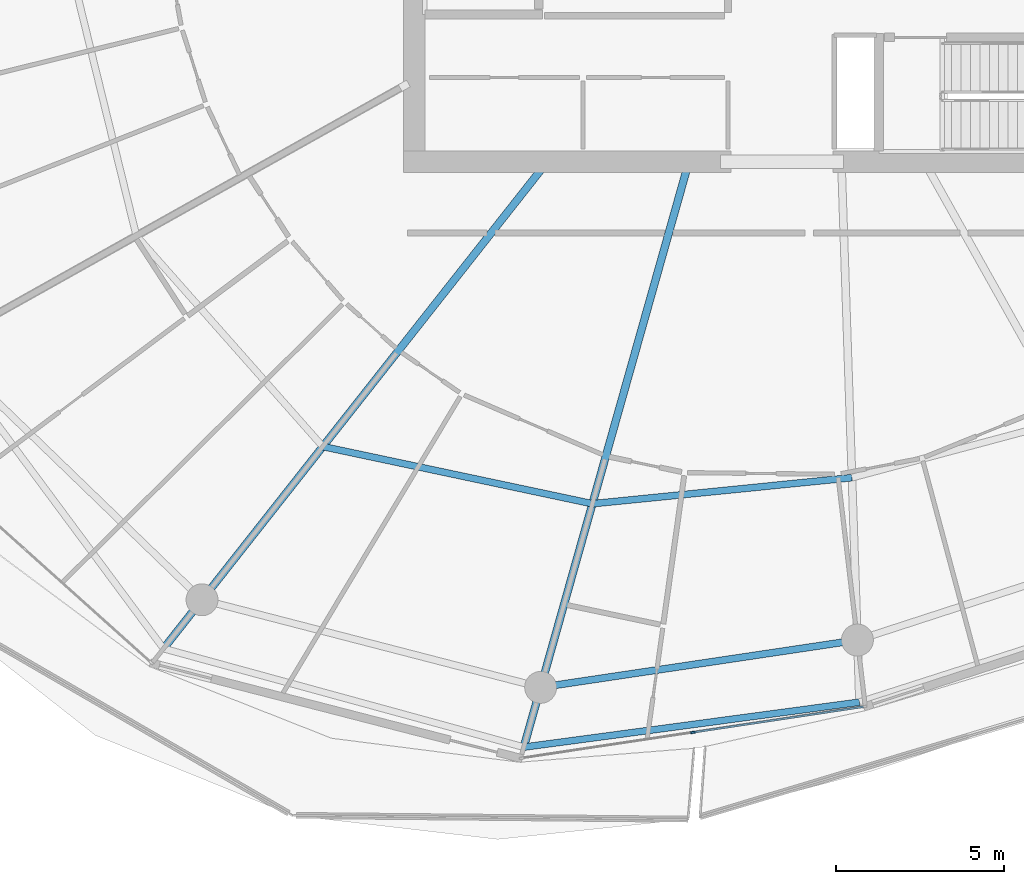
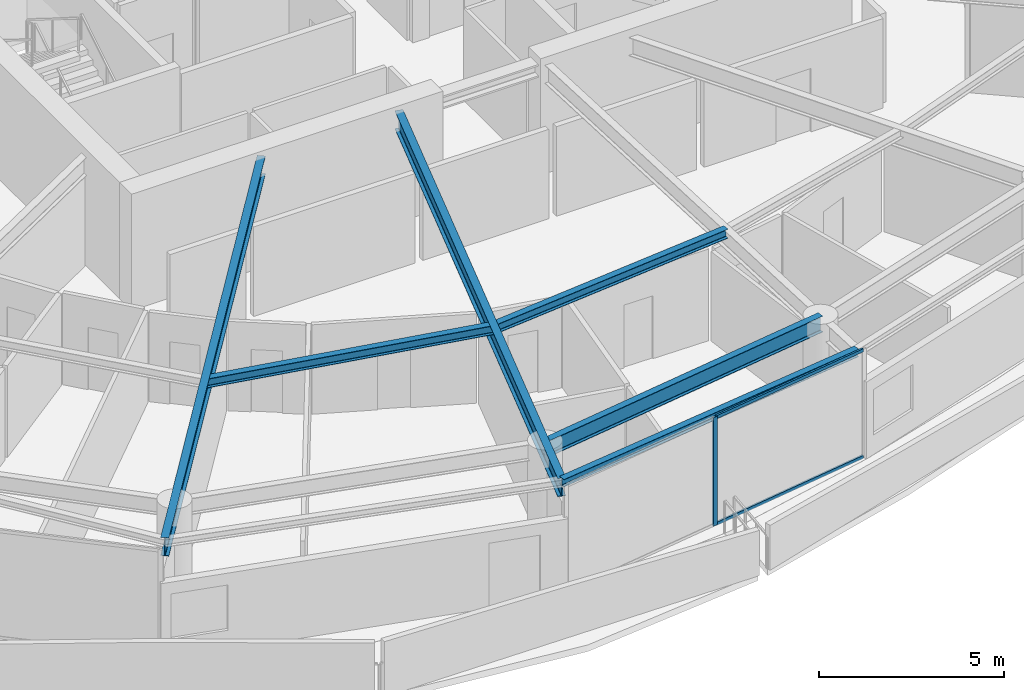
# One storey, part 7 of 30: 6 beams, 3 members, 1 element without a shape of its own.
"""IFC4 building model written with IfcOpenShell, lengths in metres."""

from ifc_helpers import new_model, si_unit, direction, frame, origin, origin_2d, place, context, subcontext, project, spatial, rectangle, i_section, extrude, material, layer, layer_set, material_profile, profile_set, type_object, element, aggregate, save


model = new_model("IFC4")

# Units and contexts
model_context = context("Model", 3, precision=1e-05, world=origin(), true_north=direction((0.0, 1.0)))
body_context = subcontext(model_context, "Body", "Model", "MODEL_VIEW")
ifc_project = project(units=[si_unit("LENGTHUNIT", "METRE"), si_unit("AREAUNIT", "SQUARE_METRE"), si_unit("VOLUMEUNIT", "CUBIC_METRE"), si_unit("PLANEANGLEUNIT", "RADIAN"), si_unit("MASSUNIT", "GRAM", prefix="KILO")], contexts=[model_context])

# Site, building, storey
site_placement = place(None, origin())
site = spatial("IfcSite", under=ifc_project, at=site_placement, CompositionType="ELEMENT")
building_placement = place(site_placement, origin())
building = spatial("IfcBuilding", under=site, at=building_placement, Name="Kazma Halo Residences", CompositionType="ELEMENT")
storey_placement = place(building_placement, frame((0.0, 0.0, 244.39990234375)))
storey = spatial("IfcBuildingStorey", under=building, at=storey_placement, Name="L61", CompositionType="ELEMENT", Elevation=244.39990234375)

# Beams
ifc_material_1 = material(Name="Steel S355", Category="steel")
ifc_material_profile_1 = material_profile(ifc_material_1, i_section(OverallWidth=0.201904296875, OverallDepth=0.2470703125, WebThickness=0.00732421875, FlangeThickness=0.010986328125, FilletRadius=0.011962890625, at=origin_2d()), Name="W250x49.1")
ifc_profile_set_1 = profile_set([ifc_material_profile_1], Name="Steel S355")
beam_type_1 = type_object("IfcBeamType", Name="BM-BAL-CANT", PredefinedType="BEAM", material=ifc_profile_set_1)
beam_1_placement = place(storey_placement, frame((40.73486328125, 16.239990234375, 3.466552734375), z_axis=(0.991137416918, 0.132840584106, 0.0), x_axis=(-0.132840584106, 0.991137416918, 0.0)))
element("IfcBeam", 1, at=beam_1_placement, inside=storey, type_object=beam_type_1, Name="L61 wave-balcony tie beam 11", PredefinedType="BEAM", context=body_context, shape_type="SweptSolid", body=[
    extrude(i_section(OverallWidth=0.201904296875, OverallDepth=0.2470703125, WebThickness=0.00732421875, FlangeThickness=0.010986328125, FilletRadius=0.011962890625, at=origin_2d()), origin(), (0.0, 0.0, 1.0), 10.087890625),
])
ifc_material_profile_2 = material_profile(ifc_material_1, i_section(OverallWidth=0.22802734375, OverallDepth=0.60791015625, WebThickness=0.01123046875, FlangeThickness=0.017333984375, FilletRadius=0.01806640625, at=origin_2d()), Name="W610x113")
ifc_profile_set_2 = profile_set([ifc_material_profile_2], Name="Steel S355")
beam_type_2 = type_object("IfcBeamType", Name="BM-RAD-W610", PredefinedType="BEAM", material=ifc_profile_set_2)
beam_2_placement = place(storey_placement, frame((41.299072265625, 33.5, 3.2861328125), z_axis=(-0.6190864347, -0.785322854863, 0.0), x_axis=(0.785322854863, -0.6190864347, 0.0)))
element("IfcBeam", 2, at=beam_2_placement, inside=storey, type_object=beam_type_2, Name="L61 radial floor beam 10", PredefinedType="BEAM", context=body_context, shape_type="SweptSolid", body=[
    extrude(i_section(OverallWidth=0.22802734375, OverallDepth=0.60791015625, WebThickness=0.01123046875, FlangeThickness=0.017333984375, FilletRadius=0.01806640625, at=origin_2d()), origin(), (0.0, 0.0, 1.0), 18.239013671875),
])
beam_3_placement = place(storey_placement, frame((45.602783203125, 33.5, 3.2861328125), z_axis=(-0.271445290974, -0.962453871107, 0.0), x_axis=(0.962453871107, -0.271445290974, 0.0)))
element("IfcBeam", 3, at=beam_3_placement, inside=storey, type_object=beam_type_2, Name="L61 radial floor beam 11", PredefinedType="BEAM", context=body_context, shape_type="SweptSolid", body=[
    extrude(i_section(OverallWidth=0.22802734375, OverallDepth=0.60791015625, WebThickness=0.01123046875, FlangeThickness=0.017333984375, FilletRadius=0.01806640625, at=origin_2d()), origin(), (0.0, 0.0, 1.0), 17.933349609375),
])
ifc_material_profile_3 = material_profile(ifc_material_1, i_section(OverallWidth=0.202880859375, OverallDepth=0.302978515625, WebThickness=0.007568359375, FlangeThickness=0.01318359375, FilletRadius=0.013916015625, at=origin_2d()), Name="W310x60")
ifc_profile_set_3 = profile_set([ifc_material_profile_3], Name="Steel S355")
beam_type_3 = type_object("IfcBeamType", Name="BM-SEC-W310A", PredefinedType="JOIST", material=ifc_profile_set_3)
beam_4_placement = place(storey_placement, frame((34.75, 25.1923828125, 3.4384765625), z_axis=(0.978235588777, -0.207497308055, 0.0), x_axis=(0.207497308055, 0.978235588777, 0.0)))
element("IfcBeam", 4, at=beam_4_placement, inside=storey, type_object=beam_type_3, Name="L61 circumferential floor joist 10", PredefinedType="JOIST", context=body_context, shape_type="SweptSolid", body=[
    extrude(i_section(OverallWidth=0.202880859375, OverallDepth=0.302978515625, WebThickness=0.007568359375, FlangeThickness=0.01318359375, FilletRadius=0.013916015625, at=origin_2d()), origin(), (0.0, 0.0, 1.0), 8.2080078125),
])
beam_5_placement = place(storey_placement, frame((42.779296875, 23.4892578125, 3.4384765625), z_axis=(0.994981653225, 0.10005753218, 0.0), x_axis=(-0.10005753218, 0.994981653225, 0.0)))
element("IfcBeam", 5, at=beam_5_placement, inside=storey, type_object=beam_type_3, Name="L61 circumferential floor joist 11", PredefinedType="JOIST", context=body_context, shape_type="SweptSolid", body=[
    extrude(i_section(OverallWidth=0.202880859375, OverallDepth=0.302978515625, WebThickness=0.007568359375, FlangeThickness=0.01318359375, FilletRadius=0.013916015625, at=origin_2d()), origin(), (0.0, 0.0, 1.0), 7.76904296875),
])
ifc_material_profile_4 = material_profile(ifc_material_1, i_section(OverallWidth=0.208984375, OverallDepth=0.532958984375, WebThickness=0.01025390625, FlangeThickness=0.015625, FilletRadius=0.01611328125, at=origin_2d()), Name="W530x92")
ifc_profile_set_4 = profile_set([ifc_material_profile_4], Name="Steel S355")
beam_type_4 = type_object("IfcBeamType", Name="BM-SPN-W530", PredefinedType="BEAM", material=ifc_profile_set_4)
beam_6_placement = place(storey_placement, frame((41.237060546875, 18.0205078125, 3.323486328125), z_axis=(0.989035441627, 0.147678350495, 0.0), x_axis=(-0.147678350495, 0.989035441627, 0.0)))
element("IfcBeam", 6, at=beam_6_placement, inside=storey, type_object=beam_type_4, Name="L61 perimeter ring beam 11", PredefinedType="BEAM", context=body_context, shape_type="SweptSolid", body=[
    extrude(i_section(OverallWidth=0.208984375, OverallDepth=0.532958984375, WebThickness=0.01025390625, FlangeThickness=0.015625, FilletRadius=0.01611328125, at=origin_2d()), origin(), (0.0, 0.0, 1.0), 9.538818359375),
])

# Curtain wall, members
ifc_material_2 = material(Name="Aluminium AW-6063 T6 and Triple-Silver Low-E Glass", Category="aluminium")
ifc_layer = layer(ifc_material_2, 0.139892578125)
ifc_layer_set = layer_set([ifc_layer], Name="Aluminium AW-6063 T6 and Triple-Silver Low-E Glass")
curtain_wall_type = type_object("IfcCurtainWallType", Name="CW-SYS-5", PredefinedType="NOTDEFINED", material=ifc_layer_set)
curtain_wall_placement = place(storey_placement, origin())
curtain_wall = element("IfcCurtainWall", 7, at=curtain_wall_placement, inside=storey, type_object=curtain_wall_type, Name="L61 unitised curtain wall B11", PredefinedType="NOTDEFINED")
ifc_material_3 = material(Name="Aluminium AW-6063 T6", Category="aluminium")
ifc_material_profile_5 = material_profile(ifc_material_3, rectangle(XDim=0.06005859375, YDim=0.139892578125, at=origin_2d()), Name="CWM-60x140")
ifc_profile_set_5 = profile_set([ifc_material_profile_5], Name="Aluminium AW-6063 T6")
member_type_1 = type_object("IfcMemberType", Name="CW-SYS-5-MUL", PredefinedType="MULLION", material=ifc_profile_set_5)
member_1_placement = place(storey_placement, frame((45.7734375, 16.679931640625, 0.0), z_axis=(0.0, 0.0, 1.0), x_axis=(-0.148697080374, 0.988882792998, 0.0)))
member_1 = element("IfcMember", 8, at=member_1_placement, type_object=member_type_1, Name="CWS-5 mullion 2", PredefinedType="MULLION", context=body_context, shape_type="SweptSolid", body=[
    extrude(rectangle(XDim=0.06005859375, YDim=0.139892578125, at=origin_2d()), origin(), (0.0, 0.0, 1.0), 3.590087890625),
])
ifc_material_profile_6 = material_profile(ifc_material_3, rectangle(XDim=0.06005859375, YDim=0.10498046875, at=origin_2d()), Name="CWT-60x105")
ifc_profile_set_6 = profile_set([ifc_material_profile_6], Name="Aluminium AW-6063 T6")
member_type_2 = type_object("IfcMemberType", Name="CW-SYS-5-TRN", PredefinedType="USERDEFINED", material=ifc_profile_set_6)
member_2_placement = place(storey_placement, frame((45.80322265625, 16.6845703125, 0.030029296875), z_axis=(0.988882913569, 0.148696278541, 0.0), x_axis=(-0.148696278541, 0.988882913569, 0.0)))
member_2 = element("IfcMember", 9, at=member_2_placement, type_object=member_type_2, Name="CWS-5 transom 2.1", ObjectType="TRANSOM", PredefinedType="USERDEFINED", context=body_context, shape_type="SweptSolid", body=[
    extrude(rectangle(XDim=0.06005859375, YDim=0.10498046875, at=origin_2d()), origin(), (0.0, 0.0, 1.0), 5.099609375),
])
member_3_placement = place(storey_placement, frame((45.80322265625, 16.6845703125, 3.56005859375), z_axis=(0.988882913569, 0.148696278541, 0.0), x_axis=(-0.148696278541, 0.988882913569, 0.0)))
member_3 = element("IfcMember", 10, at=member_3_placement, type_object=member_type_2, Name="CWS-5 transom 2.2", ObjectType="TRANSOM", PredefinedType="USERDEFINED", context=body_context, shape_type="SweptSolid", body=[
    extrude(rectangle(XDim=0.06005859375, YDim=0.10498046875, at=origin_2d()), origin(), (0.0, 0.0, 1.0), 5.099609375),
])
aggregate(curtain_wall, [member_1, member_2, member_3])

save(model, "model.ifc")
